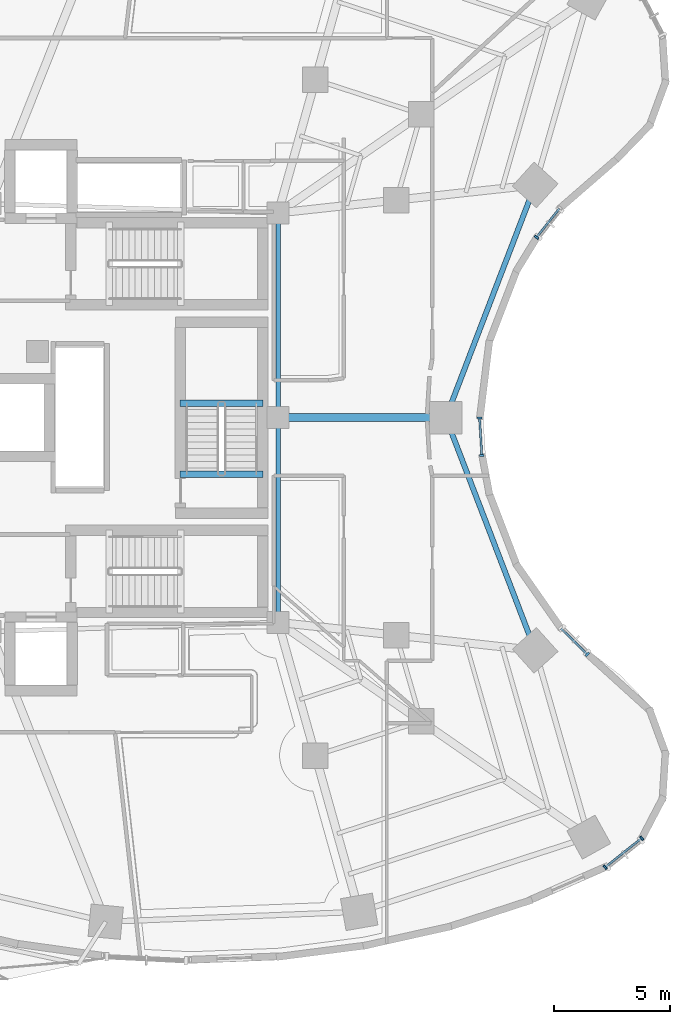
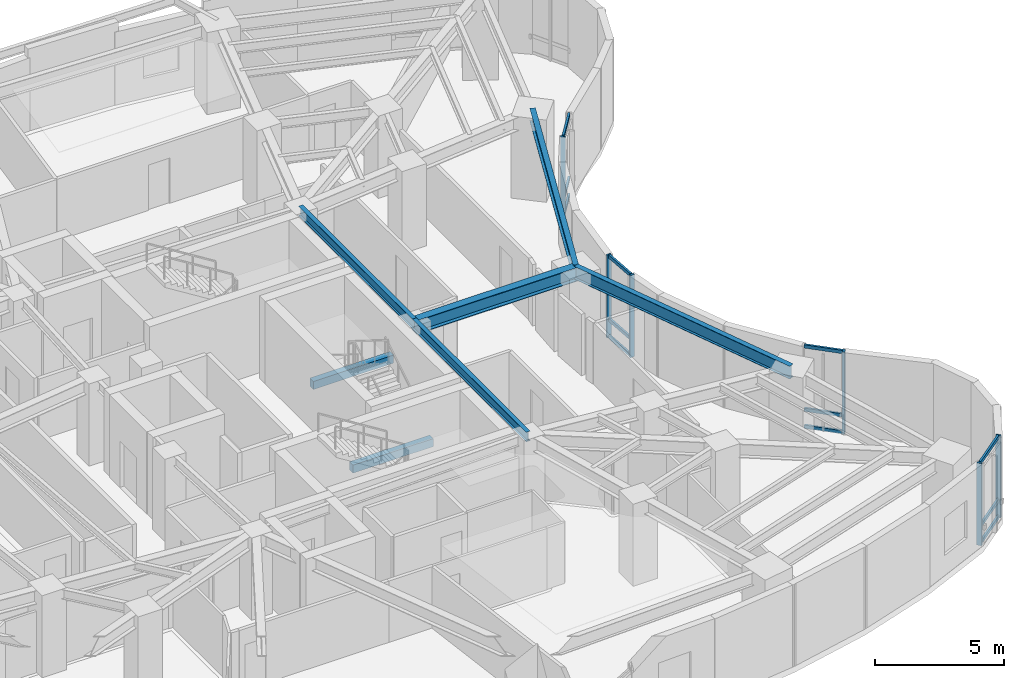
# One storey, part 4 of 15: 18 members, 7 beams, 4 elements without a shape of their own.
"""IFC4 building model written with IfcOpenShell, lengths in metres."""

from ifc_helpers import new_model, si_unit, direction, frame, origin, origin_2d, place, context, subcontext, project, spatial, rectangle, i_section, extrude, material, layer, layer_set, material_profile, profile_set, type_object, element, aggregate, save


model = new_model("IFC4")

# Units and contexts
model_context = context("Model", 3, precision=1e-05, world=origin(), true_north=direction((0.0, 1.0)))
body_context = subcontext(model_context, "Body", "Model", "MODEL_VIEW")
ifc_project = project(units=[si_unit("LENGTHUNIT", "METRE"), si_unit("AREAUNIT", "SQUARE_METRE"), si_unit("VOLUMEUNIT", "CUBIC_METRE"), si_unit("PLANEANGLEUNIT", "RADIAN"), si_unit("MASSUNIT", "GRAM", prefix="KILO")], contexts=[model_context])

# Site, building, storey
site_placement = place(None, origin())
site = spatial("IfcSite", under=ifc_project, at=site_placement, CompositionType="ELEMENT")
building_placement = place(site_placement, origin())
building = spatial("IfcBuilding", under=site, at=building_placement, Name="Korentha Bioscience Tower", CompositionType="ELEMENT")
storey_placement = place(building_placement, frame((0.0, 0.0, 72.0)))
storey = spatial("IfcBuildingStorey", under=building, at=storey_placement, Name="L16", CompositionType="ELEMENT", Elevation=72.0)

# Beams
ifc_material_1 = material(Name="Concrete C50", Category="concrete")
ifc_material_profile_1 = material_profile(ifc_material_1, rectangle(XDim=0.280029296875, YDim=0.3798828125, at=origin_2d()), Name="Concrete C50")
ifc_profile_set_1 = profile_set([ifc_material_profile_1], Name="Concrete C50 (ST-HB380)")
beam_type_1 = type_object("IfcBeamType", Name="Concrete Stair Header Beam RC 280x380", PredefinedType="BEAM", material=ifc_profile_set_1)
for number, where, z_axis, x_axis, name in (
    (1, (36.89990234375, 24.550048828125, -0.18994140625), (-1.0, 0.0, 0.0), (0.0, -1.0, 0.0), "L16 ST-3 Concrete Stair Header Beam"),
    (2, (36.89990234375, 27.6298828125, 1.909912109375), (-1.0, 0.0, 0.0), (0.0, -1.0, 0.0), "L16 ST-3 Half-Landing Header Beam 1"),
):
    element("IfcBeam", number, at=place(storey_placement, frame(where, z_axis=z_axis, x_axis=x_axis)), inside=storey, type_object=beam_type_1, Name=name, PredefinedType="BEAM", context=body_context, shape_type="SweptSolid", body=[
        extrude(rectangle(XDim=0.280029296875, YDim=0.3798828125, at=origin_2d()), origin(), (0.0, 0.0, 1.0), 3.599853515625),
    ])
ifc_material_2 = material(Name="Steel S355", Category="steel")
ifc_material_profile_2 = material_profile(ifc_material_2, i_section(OverallWidth=0.18994140625, OverallDepth=0.45703125, WebThickness=0.009033203125, FlangeThickness=0.014404296875, at=origin_2d()), Name="Steel S355")
ifc_profile_set_2 = profile_set([ifc_material_profile_2], Name="Steel S355 (MB-460)")
beam_type_2 = type_object("IfcBeamType", Name="Mid-Ring Tie Girder W460x74", PredefinedType="BEAM", material=ifc_profile_set_2)
for number, where, z_axis, x_axis, name in (
    (3, (37.550048828125, 18.14990234375, 3.67138671875), (0.0, 1.0, 0.0), (-1.0, 0.0, 0.0), "L16 Core Ring Tie Girder 06"),
    (4, (37.550048828125, 27.0, 3.67138671875), (0.0, 1.0, 0.0), (-1.0, 0.0, 0.0), "L16 Core Ring Tie Girder 07"),
):
    element("IfcBeam", number, at=place(storey_placement, frame(where, z_axis=z_axis, x_axis=x_axis)), inside=storey, type_object=beam_type_2, Name=name, PredefinedType="BEAM", context=body_context, shape_type="SweptSolid", body=[
        extrude(i_section(OverallWidth=0.18994140625, OverallDepth=0.45703125, WebThickness=0.009033203125, FlangeThickness=0.014404296875, at=origin_2d()), origin(), (0.0, 0.0, 1.0), 8.85009765625),
    ])

# Curtain wall, members
ifc_material_3 = material(Name="Thermally Broken Aluminium Frame", Category="aluminium")
ifc_layer_1 = layer(ifc_material_3, 0.219970703125, Name="Thermally Broken Aluminium Frame")
ifc_layer_set_1 = layer_set([ifc_layer_1], Name="Thermally Broken Aluminium Frame (CW-T2)")
curtain_wall_type_1 = type_object("IfcCurtainWallType", Name="Solar-Screened Lab Unitised Curtain Wall CW-T2", PredefinedType="USERDEFINED", material=ifc_layer_set_1)
curtain_wall_1_placement = place(storey_placement, origin())
curtain_wall_1 = element("IfcCurtainWall", 5, at=curtain_wall_1_placement, inside=storey, type_object=curtain_wall_type_1, Name="L16 Curtain Wall 37", ObjectType="UNITISED", PredefinedType="USERDEFINED")
ifc_material_4 = material(Name="Anodised Aluminium 6063-T6", Category="aluminium")
ifc_material_profile_3 = material_profile(ifc_material_4, rectangle(XDim=0.090087890625, YDim=0.199951171875, at=origin_2d()), Name="Anodised Aluminium 6063-T6")
ifc_profile_set_3 = profile_set([ifc_material_profile_3], Name="Anodised Aluminium 6063-T6 (CW-MUL)")
member_type_1 = type_object("IfcMemberType", Name="Mullion RECT 90x200", PredefinedType="MULLION", material=ifc_profile_set_3)
member_1_placement = place(storey_placement, frame((51.6865234375, 7.56298828125, 0.0), z_axis=(0.0, 0.0, 1.0), x_axis=(0.782287851332, 0.62291710336, 0.0)))
member_1 = element("IfcMember", 6, at=member_1_placement, type_object=member_type_1, Name="CW-L16-37 Mullion 1", PredefinedType="MULLION", context=body_context, shape_type="SweptSolid", body=[
    extrude(rectangle(XDim=0.090087890625, YDim=0.199951171875, at=origin_2d()), origin(), (0.0, 0.0, 1.0), 3.89990234375),
])
member_2_placement = place(storey_placement, frame((53.264892578125, 8.81982421875, 0.0), z_axis=(0.0, 0.0, 1.0), x_axis=(0.782287851332, 0.62291710336, 0.0)))
member_2 = element("IfcMember", 7, at=member_2_placement, type_object=member_type_1, Name="CW-L16-37 Mullion 2", PredefinedType="MULLION", context=body_context, shape_type="SweptSolid", body=[
    extrude(rectangle(XDim=0.090087890625, YDim=0.199951171875, at=origin_2d()), origin(), (0.0, 0.0, 1.0), 3.89990234375),
])

# Curtain wall, member
curtain_wall_2_placement = place(storey_placement, origin())
curtain_wall_2 = element("IfcCurtainWall", 8, at=curtain_wall_2_placement, inside=storey, type_object=curtain_wall_type_1, Name="L16 Curtain Wall 43", ObjectType="UNITISED", PredefinedType="USERDEFINED")
member_3_placement = place(storey_placement, frame((50.913818359375, 16.76513671875, 0.0), z_axis=(0.0, 0.0, 1.0), x_axis=(-0.713279246754, 0.700879958445, 0.0)))
member_3 = element("IfcMember", 9, at=member_3_placement, type_object=member_type_1, Name="CW-L16-43 Mullion 1", PredefinedType="MULLION", context=body_context, shape_type="SweptSolid", body=[
    extrude(rectangle(XDim=0.090087890625, YDim=0.199951171875, at=origin_2d()), origin(), (0.0, 0.0, 1.0), 3.89990234375),
])

# Curtain wall, members
ifc_layer_2 = layer(ifc_material_3, 0.219970703125, Name="Thermally Broken Aluminium Frame")
ifc_layer_set_2 = layer_set([ifc_layer_2], Name="Thermally Broken Aluminium Frame (CW-T1)")
curtain_wall_type_2 = type_object("IfcCurtainWallType", Name="Standard Bioscience Lab Unitised Curtain Wall CW-T1", PredefinedType="USERDEFINED", material=ifc_layer_set_2)
curtain_wall_3_placement = place(storey_placement, origin())
curtain_wall_3 = element("IfcCurtainWall", 10, at=curtain_wall_3_placement, inside=storey, type_object=curtain_wall_type_2, Name="L16 Curtain Wall 49", ObjectType="UNITISED", PredefinedType="USERDEFINED")
member_4_placement = place(storey_placement, frame((46.355712890625, 25.3603515625, 0.0), z_axis=(0.0, 0.0, 1.0), x_axis=(-0.061008272998, 0.998137260413, 0.0)))
member_4 = element("IfcMember", 11, at=member_4_placement, type_object=member_type_1, Name="CW-L16-49 Mullion 1", PredefinedType="MULLION", context=body_context, shape_type="SweptSolid", body=[
    extrude(rectangle(XDim=0.090087890625, YDim=0.199951171875, at=origin_2d()), origin(), (0.0, 0.0, 1.0), 3.89990234375),
])
member_5_placement = place(storey_placement, frame((46.25634765625, 26.985107421875, 0.0), z_axis=(0.0, 0.0, 1.0), x_axis=(-0.061008272998, 0.998137260413, 0.0)))
member_5 = element("IfcMember", 12, at=member_5_placement, type_object=member_type_1, Name="CW-L16-49 Mullion 2", PredefinedType="MULLION", context=body_context, shape_type="SweptSolid", body=[
    extrude(rectangle(XDim=0.090087890625, YDim=0.199951171875, at=origin_2d()), origin(), (0.0, 0.0, 1.0), 3.89990234375),
])

# Curtain wall, member
curtain_wall_4_placement = place(storey_placement, origin())
curtain_wall_4 = element("IfcCurtainWall", 13, at=curtain_wall_4_placement, inside=storey, type_object=curtain_wall_type_1, Name="L16 Curtain Wall 55", ObjectType="UNITISED", PredefinedType="USERDEFINED")
member_6_placement = place(storey_placement, frame((48.719482421875, 34.7978515625, 0.0), z_axis=(0.0, 0.0, 1.0), x_axis=(0.622520324648, 0.782603632371, 0.0)))
member_6 = element("IfcMember", 14, at=member_6_placement, type_object=member_type_1, Name="CW-L16-55 Mullion 1", PredefinedType="MULLION", context=body_context, shape_type="SweptSolid", body=[
    extrude(rectangle(XDim=0.090087890625, YDim=0.199951171875, at=origin_2d()), origin(), (0.0, 0.0, 1.0), 3.89990234375),
])

# Beams
ifc_material_profile_4 = material_profile(ifc_material_2, i_section(OverallWidth=0.22802734375, OverallDepth=0.60791015625, WebThickness=0.01123046875, FlangeThickness=0.017333984375, at=origin_2d()), Name="Steel S355")
ifc_profile_set_4 = profile_set([ifc_material_profile_4], Name="Steel S355 (SB-610)")
beam_type_3 = type_object("IfcBeamType", Name="Perimeter Ring Spandrel Girder W610x113", PredefinedType="SPANDREL", material=ifc_profile_set_4)
for number, where, z_axis, x_axis, name in (
    (15, (48.661865234375, 16.939208984375, 3.595947265625), (-0.358473520253, 0.93353989485, 0.0), (-0.93353989485, -0.358473520253, 0.0), "L16 Perimeter Spandrel Girder 14"),
    (16, (44.798583984375, 27.0, 3.595947265625), (0.358473520253, 0.93353989485, 0.0), (-0.93353989485, 0.358473520253, 0.0), "L16 Perimeter Spandrel Girder 15"),
):
    element("IfcBeam", number, at=place(storey_placement, frame(where, z_axis=z_axis, x_axis=x_axis)), inside=storey, type_object=beam_type_3, Name=name, PredefinedType="SPANDREL", context=body_context, shape_type="SweptSolid", body=[
        extrude(i_section(OverallWidth=0.22802734375, OverallDepth=0.60791015625, WebThickness=0.01123046875, FlangeThickness=0.017333984375, at=origin_2d()), origin(), (0.0, 0.0, 1.0), 10.777099609375),
    ])
ifc_material_profile_5 = material_profile(ifc_material_2, i_section(OverallWidth=0.35009765625, OverallDepth=0.64990234375, WebThickness=0.01611328125, FlangeThickness=0.02490234375, at=origin_2d()), Name="Steel S355")
ifc_profile_set_5 = profile_set([ifc_material_profile_5], Name="Steel S355 (RB-650)")
beam_type_4 = type_object("IfcBeamType", Name="Radial Laboratory Girder CVS 650x208", PredefinedType="BEAM", material=ifc_profile_set_5)
beam_placement = place(storey_placement, frame((37.550048828125, 27.0, 3.574951171875), z_axis=(1.0, 0.0, 0.0), x_axis=(0.0, 1.0, 0.0)))
element("IfcBeam", 17, at=beam_placement, inside=storey, type_object=beam_type_4, Name="L16 Radial Girder 15", PredefinedType="BEAM", context=body_context, shape_type="SweptSolid", body=[
    extrude(i_section(OverallWidth=0.35009765625, OverallDepth=0.64990234375, WebThickness=0.01611328125, FlangeThickness=0.02490234375, at=origin_2d()), origin(), (0.0, 0.0, 1.0), 7.24853515625),
])

# Member
ifc_material_profile_6 = material_profile(ifc_material_4, rectangle(XDim=0.090087890625, YDim=0.159912109375, at=origin_2d()), Name="Anodised Aluminium 6063-T6")
ifc_profile_set_6 = profile_set([ifc_material_profile_6], Name="Anodised Aluminium 6063-T6 (CW-TRN)")
member_type_2 = type_object("IfcMemberType", Name="Transom RECT 90x160", PredefinedType="USERDEFINED", material=ifc_profile_set_6)
member_7_placement = place(storey_placement, frame((51.7216796875, 7.591064453125, 0.044921875), z_axis=(0.78232471634, 0.622870803782, 0.0), x_axis=(-0.622870803782, 0.78232471634, 0.0)))
member_7 = element("IfcMember", 18, at=member_7_placement, type_object=member_type_2, Name="CW-L16-37 Bay 1 Transom 1", ObjectType="TRANSOM", PredefinedType="USERDEFINED", context=body_context, shape_type="SweptSolid", body=[
    extrude(rectangle(XDim=0.090087890625, YDim=0.159912109375, at=origin_2d()), origin(), (0.0, 0.0, 1.0), 1.927734375),
])

member_8_placement = place(storey_placement, frame((51.7216796875, 7.591064453125, 0.85009765625), z_axis=(0.78232471634, 0.622870803782, 0.0), x_axis=(-0.622870803782, 0.78232471634, 0.0)))
member_8 = element("IfcMember", 19, at=member_8_placement, type_object=member_type_2, Name="CW-L16-37 Bay 1 Transom 2", ObjectType="TRANSOM", PredefinedType="USERDEFINED", context=body_context, shape_type="SweptSolid", body=[
    extrude(rectangle(XDim=0.090087890625, YDim=0.159912109375, at=origin_2d()), origin(), (0.0, 0.0, 1.0), 1.927734375),
])

member_9_placement = place(storey_placement, frame((51.7216796875, 7.591064453125, 3.85498046875), z_axis=(0.78232471634, 0.622870803782, 0.0), x_axis=(-0.622870803782, 0.78232471634, 0.0)))
member_9 = element("IfcMember", 20, at=member_9_placement, type_object=member_type_2, Name="CW-L16-37 Bay 1 Transom 3", ObjectType="TRANSOM", PredefinedType="USERDEFINED", context=body_context, shape_type="SweptSolid", body=[
    extrude(rectangle(XDim=0.090087890625, YDim=0.159912109375, at=origin_2d()), origin(), (0.0, 0.0, 1.0), 1.927734375),
])

aggregate(curtain_wall_1, [member_1, member_2, member_7, member_8, member_9])

member_10_placement = place(storey_placement, frame((50.8818359375, 16.796875, 0.044921875), z_axis=(-0.713350356322, 0.700807583531, 0.0), x_axis=(-0.700807583531, -0.713350356322, 0.0)))
member_10 = element("IfcMember", 21, at=member_10_placement, type_object=member_type_2, Name="CW-L16-43 Bay 1 Transom 1", ObjectType="TRANSOM", PredefinedType="USERDEFINED", context=body_context, shape_type="SweptSolid", body=[
    extrude(rectangle(XDim=0.090087890625, YDim=0.159912109375, at=origin_2d()), origin(), (0.0, 0.0, 1.0), 1.53759765625),
])

member_11_placement = place(storey_placement, frame((50.8818359375, 16.796875, 0.85009765625), z_axis=(-0.713350356322, 0.700807583531, 0.0), x_axis=(-0.700807583531, -0.713350356322, 0.0)))
member_11 = element("IfcMember", 22, at=member_11_placement, type_object=member_type_2, Name="CW-L16-43 Bay 1 Transom 2", ObjectType="TRANSOM", PredefinedType="USERDEFINED", context=body_context, shape_type="SweptSolid", body=[
    extrude(rectangle(XDim=0.090087890625, YDim=0.159912109375, at=origin_2d()), origin(), (0.0, 0.0, 1.0), 1.53759765625),
])

member_12_placement = place(storey_placement, frame((50.8818359375, 16.796875, 3.85498046875), z_axis=(-0.713350356322, 0.700807583531, 0.0), x_axis=(-0.700807583531, -0.713350356322, 0.0)))
member_12 = element("IfcMember", 23, at=member_12_placement, type_object=member_type_2, Name="CW-L16-43 Bay 1 Transom 3", ObjectType="TRANSOM", PredefinedType="USERDEFINED", context=body_context, shape_type="SweptSolid", body=[
    extrude(rectangle(XDim=0.090087890625, YDim=0.159912109375, at=origin_2d()), origin(), (0.0, 0.0, 1.0), 1.53759765625),
])

aggregate(curtain_wall_2, [member_3, member_10, member_11, member_12])

member_13_placement = place(storey_placement, frame((46.352783203125, 25.4052734375, 0.044921875), z_axis=(-0.060964804815, 0.998139916331, 0.0), x_axis=(-0.998139916331, -0.060964804815, 0.0)))
member_13 = element("IfcMember", 24, at=member_13_placement, type_object=member_type_2, Name="CW-L16-49 Bay 1 Transom 1", ObjectType="TRANSOM", PredefinedType="USERDEFINED", context=body_context, shape_type="SweptSolid", body=[
    extrude(rectangle(XDim=0.090087890625, YDim=0.159912109375, at=origin_2d()), origin(), (0.0, 0.0, 1.0), 1.537841796875),
])

member_14_placement = place(storey_placement, frame((46.352783203125, 25.4052734375, 0.85009765625), z_axis=(-0.060964804815, 0.998139916331, 0.0), x_axis=(-0.998139916331, -0.060964804815, 0.0)))
member_14 = element("IfcMember", 25, at=member_14_placement, type_object=member_type_2, Name="CW-L16-49 Bay 1 Transom 2", ObjectType="TRANSOM", PredefinedType="USERDEFINED", context=body_context, shape_type="SweptSolid", body=[
    extrude(rectangle(XDim=0.090087890625, YDim=0.159912109375, at=origin_2d()), origin(), (0.0, 0.0, 1.0), 1.537841796875),
])

member_15_placement = place(storey_placement, frame((46.352783203125, 25.4052734375, 3.85498046875), z_axis=(-0.060964804815, 0.998139916331, 0.0), x_axis=(-0.998139916331, -0.060964804815, 0.0)))
member_15 = element("IfcMember", 26, at=member_15_placement, type_object=member_type_2, Name="CW-L16-49 Bay 1 Transom 3", ObjectType="TRANSOM", PredefinedType="USERDEFINED", context=body_context, shape_type="SweptSolid", body=[
    extrude(rectangle(XDim=0.090087890625, YDim=0.159912109375, at=origin_2d()), origin(), (0.0, 0.0, 1.0), 1.537841796875),
])

aggregate(curtain_wall_3, [member_4, member_5, member_13, member_14, member_15])

member_16_placement = place(storey_placement, frame((48.74755859375, 34.8330078125, 0.044921875), z_axis=(0.622563336945, 0.782569416405, 0.0), x_axis=(-0.782569416405, 0.622563336945, 0.0)))
member_16 = element("IfcMember", 27, at=member_16_placement, type_object=member_type_2, Name="CW-L16-55 Bay 1 Transom 1", ObjectType="TRANSOM", PredefinedType="USERDEFINED", context=body_context, shape_type="SweptSolid", body=[
    extrude(rectangle(XDim=0.090087890625, YDim=0.159912109375, at=origin_2d()), origin(), (0.0, 0.0, 1.0), 1.5380859375),
])

member_17_placement = place(storey_placement, frame((48.74755859375, 34.8330078125, 0.85009765625), z_axis=(0.622563336945, 0.782569416405, 0.0), x_axis=(-0.782569416405, 0.622563336945, 0.0)))
member_17 = element("IfcMember", 28, at=member_17_placement, type_object=member_type_2, Name="CW-L16-55 Bay 1 Transom 2", ObjectType="TRANSOM", PredefinedType="USERDEFINED", context=body_context, shape_type="SweptSolid", body=[
    extrude(rectangle(XDim=0.090087890625, YDim=0.159912109375, at=origin_2d()), origin(), (0.0, 0.0, 1.0), 1.5380859375),
])

member_18_placement = place(storey_placement, frame((48.74755859375, 34.8330078125, 3.85498046875), z_axis=(0.622563336945, 0.782569416405, 0.0), x_axis=(-0.782569416405, 0.622563336945, 0.0)))
member_18 = element("IfcMember", 29, at=member_18_placement, type_object=member_type_2, Name="CW-L16-55 Bay 1 Transom 3", ObjectType="TRANSOM", PredefinedType="USERDEFINED", context=body_context, shape_type="SweptSolid", body=[
    extrude(rectangle(XDim=0.090087890625, YDim=0.159912109375, at=origin_2d()), origin(), (0.0, 0.0, 1.0), 1.5380859375),
])

aggregate(curtain_wall_4, [member_6, member_16, member_17, member_18])

save(model, "model.ifc")
